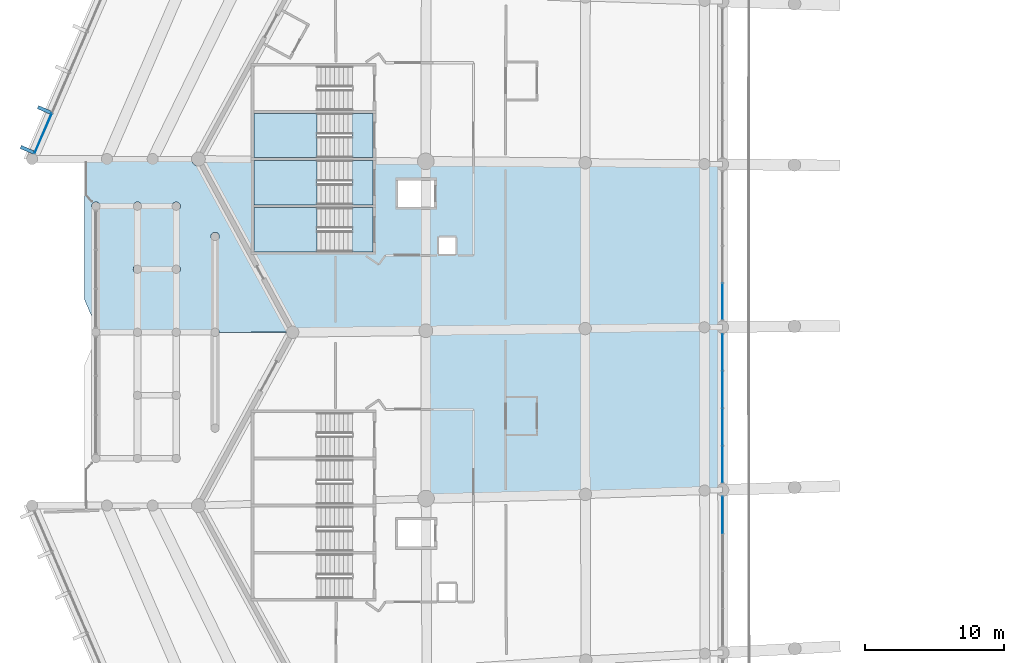
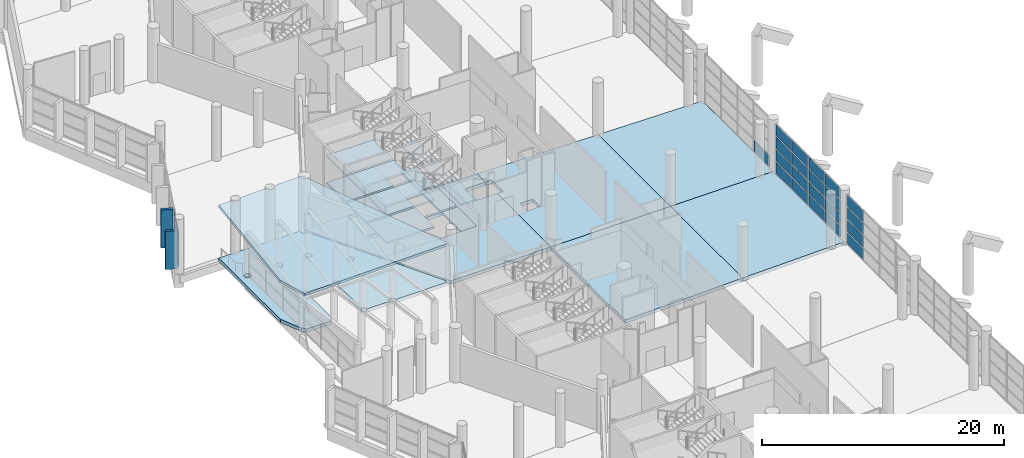
# One storey, part 124 of 271: 26 plates, 19 slabs, 7 elements without a shape of their own.
"""IFC4 building model written with IfcOpenShell, lengths in metres."""

from ifc_helpers import new_model, si_unit, direction, frame, origin, origin_2d, place, context, subcontext, project, spatial, polyline, rectangle, outline, extrude, material, layer, layer_set, type_object, element, aggregate, save


model = new_model("IFC4")

# Units and contexts
model_context = context("Model", 3, precision=1e-05, world=origin(), true_north=direction((0.0, 1.0)))
body_context = subcontext(model_context, "Body", "Model", "MODEL_VIEW")
ifc_project = project(units=[si_unit("LENGTHUNIT", "METRE"), si_unit("AREAUNIT", "SQUARE_METRE"), si_unit("VOLUMEUNIT", "CUBIC_METRE"), si_unit("PLANEANGLEUNIT", "RADIAN"), si_unit("MASSUNIT", "GRAM", prefix="KILO")], contexts=[model_context])

# Site, building, storey
site_placement = place(None, origin())
site = spatial("IfcSite", under=ifc_project, at=site_placement, CompositionType="ELEMENT")
building_placement = place(site_placement, origin())
building = spatial("IfcBuilding", under=site, at=building_placement, Name="Meseta Stadium", CompositionType="ELEMENT")
storey_placement = place(building_placement, frame((0.0, 0.0, 6.5)))
storey = spatial("IfcBuildingStorey", under=building, at=storey_placement, Name="L01", CompositionType="ELEMENT", Elevation=6.5)

# Curtain wall, plate
ifc_material_1 = material(Name="Aluminium", Category="aluminium")
ifc_layer_1 = layer(ifc_material_1, 0.199951171875)
ifc_layer_set_1 = layer_set([ifc_layer_1], Name="Club glazing curtain wall")
curtain_wall_type_1 = type_object("IfcCurtainWallType", Name="Club glazing curtain wall", PredefinedType="NOTDEFINED", material=ifc_layer_set_1)
curtain_wall_1_placement = place(storey_placement, origin())
curtain_wall_1 = element("IfcCurtainWall", 1, at=curtain_wall_1_placement, inside=storey, type_object=curtain_wall_type_1, Name="Club glazing bay 32", PredefinedType="NOTDEFINED")
ifc_material_2 = material(Name="Glass", Category="glass")
ifc_layer_2 = layer(ifc_material_2, 0.028076171875)
ifc_layer_set_2 = layer_set([ifc_layer_2], Name="CW glass panel 28")
plate_type_1 = type_object("IfcPlateType", Name="CW glass panel 28", PredefinedType="CURTAIN_PANEL", material=ifc_layer_set_2)
plate_1_placement = place(storey_placement, frame((-63.5986328125, -4.0302734375, 0.1201171875), z_axis=(0.0, 0.0, 1.0), x_axis=(0.0, -1.0, 0.0)))
plate_1 = element("IfcPlate", 2, at=plate_1_placement, type_object=plate_type_1, Name="CWC panel 4.1", PredefinedType="CURTAIN_PANEL", context=body_context, shape_type="SweptSolid", body=[
    extrude(rectangle(XDim=2.60693359375, YDim=0.028076171875, at=origin_2d()), origin(), (0.0, 0.0, 1.0), 1.107421875),
])
aggregate(curtain_wall_1, [plate_1])

# Curtain wall, plates
curtain_wall_2_placement = place(storey_placement, origin())
curtain_wall_2 = element("IfcCurtainWall", 3, at=curtain_wall_2_placement, inside=storey, type_object=curtain_wall_type_1, Name="Club glazing bay 33", PredefinedType="NOTDEFINED")
plate_2_placement = place(storey_placement, frame((-63.596923828125, -7.689697265625, 0.1201171875), z_axis=(0.0, 0.0, 1.0), x_axis=(0.000924539991, -0.999999572613, 0.0)))
plate_2 = element("IfcPlate", 4, at=plate_2_placement, type_object=plate_type_1, Name="CWC panel 1.1", PredefinedType="CURTAIN_PANEL", context=body_context, shape_type="SweptSolid", body=[
    extrude(rectangle(XDim=2.614013671875, YDim=0.028076171875, at=origin_2d()), origin(), (0.0, 0.0, 1.0), 1.107421875),
])
plate_3_placement = place(storey_placement, frame((-63.596923828125, -7.689697265625, 1.347412109375), z_axis=(0.0, 0.0, 1.0), x_axis=(0.000924539991, -0.999999572613, 0.0)))
plate_3 = element("IfcPlate", 5, at=plate_3_placement, type_object=plate_type_1, Name="CWC panel 1.2", PredefinedType="CURTAIN_PANEL", context=body_context, shape_type="SweptSolid", body=[
    extrude(rectangle(XDim=2.614013671875, YDim=0.028076171875, at=origin_2d()), origin(), (0.0, 0.0, 1.0), 1.16748046875),
])
plate_4_placement = place(storey_placement, frame((-63.596923828125, -7.689697265625, 2.635009765625), z_axis=(0.0, 0.0, 1.0), x_axis=(0.000924539991, -0.999999572613, 0.0)))
plate_4 = element("IfcPlate", 6, at=plate_4_placement, type_object=plate_type_1, Name="CWC panel 1.3", PredefinedType="CURTAIN_PANEL", context=body_context, shape_type="SweptSolid", body=[
    extrude(rectangle(XDim=2.614013671875, YDim=0.028076171875, at=origin_2d()), origin(), (0.0, 0.0, 1.0), 1.16748046875),
])
plate_5_placement = place(storey_placement, frame((-63.596923828125, -7.689697265625, 3.922607421875), z_axis=(0.0, 0.0, 1.0), x_axis=(0.000924539991, -0.999999572613, 0.0)))
plate_5 = element("IfcPlate", 7, at=plate_5_placement, type_object=plate_type_1, Name="CWC panel 1.4", PredefinedType="CURTAIN_PANEL", context=body_context, shape_type="SweptSolid", body=[
    extrude(rectangle(XDim=2.614013671875, YDim=0.028076171875, at=origin_2d()), origin(), (0.0, 0.0, 1.0), 1.107421875),
])
plate_6_placement = place(storey_placement, frame((-63.594482421875, -10.37890625, 0.1201171875), z_axis=(0.0, 0.0, 1.0), x_axis=(0.000924539991, -0.999999572613, 0.0)))
plate_6 = element("IfcPlate", 8, at=plate_6_placement, type_object=plate_type_1, Name="CWC panel 2.1", PredefinedType="CURTAIN_PANEL", context=body_context, shape_type="SweptSolid", body=[
    extrude(rectangle(XDim=2.64404296875, YDim=0.028076171875, at=origin_2d()), origin(), (0.0, 0.0, 1.0), 1.107421875),
])
plate_7_placement = place(storey_placement, frame((-63.594482421875, -10.37890625, 1.347412109375), z_axis=(0.0, 0.0, 1.0), x_axis=(0.000924539991, -0.999999572613, 0.0)))
plate_7 = element("IfcPlate", 9, at=plate_7_placement, type_object=plate_type_1, Name="CWC panel 2.2", PredefinedType="CURTAIN_PANEL", context=body_context, shape_type="SweptSolid", body=[
    extrude(rectangle(XDim=2.64404296875, YDim=0.028076171875, at=origin_2d()), origin(), (0.0, 0.0, 1.0), 1.16748046875),
])
plate_8_placement = place(storey_placement, frame((-63.594482421875, -10.37890625, 2.635009765625), z_axis=(0.0, 0.0, 1.0), x_axis=(0.000924539991, -0.999999572613, 0.0)))
plate_8 = element("IfcPlate", 10, at=plate_8_placement, type_object=plate_type_1, Name="CWC panel 2.3", PredefinedType="CURTAIN_PANEL", context=body_context, shape_type="SweptSolid", body=[
    extrude(rectangle(XDim=2.64404296875, YDim=0.028076171875, at=origin_2d()), origin(), (0.0, 0.0, 1.0), 1.16748046875),
])
plate_9_placement = place(storey_placement, frame((-63.594482421875, -10.37890625, 3.922607421875), z_axis=(0.0, 0.0, 1.0), x_axis=(0.000924539991, -0.999999572613, 0.0)))
plate_9 = element("IfcPlate", 11, at=plate_9_placement, type_object=plate_type_1, Name="CWC panel 2.4", PredefinedType="CURTAIN_PANEL", context=body_context, shape_type="SweptSolid", body=[
    extrude(rectangle(XDim=2.64404296875, YDim=0.028076171875, at=origin_2d()), origin(), (0.0, 0.0, 1.0), 1.107421875),
])
plate_10_placement = place(storey_placement, frame((-63.592041015625, -13.082763671875, 0.1201171875), z_axis=(0.0, 0.0, 1.0), x_axis=(0.000924539991, -0.999999572613, 0.0)))
plate_10 = element("IfcPlate", 12, at=plate_10_placement, type_object=plate_type_1, Name="CWC panel 3.1", PredefinedType="CURTAIN_PANEL", context=body_context, shape_type="SweptSolid", body=[
    extrude(rectangle(XDim=2.64404296875, YDim=0.028076171875, at=origin_2d()), origin(), (0.0, 0.0, 1.0), 1.107421875),
])
plate_11_placement = place(storey_placement, frame((-63.592041015625, -13.082763671875, 1.347412109375), z_axis=(0.0, 0.0, 1.0), x_axis=(0.000924539991, -0.999999572613, 0.0)))
plate_11 = element("IfcPlate", 13, at=plate_11_placement, type_object=plate_type_1, Name="CWC panel 3.2", PredefinedType="CURTAIN_PANEL", context=body_context, shape_type="SweptSolid", body=[
    extrude(rectangle(XDim=2.64404296875, YDim=0.028076171875, at=origin_2d()), origin(), (0.0, 0.0, 1.0), 1.16748046875),
])
plate_12_placement = place(storey_placement, frame((-63.592041015625, -13.082763671875, 2.635009765625), z_axis=(0.0, 0.0, 1.0), x_axis=(0.000924539991, -0.999999572613, 0.0)))
plate_12 = element("IfcPlate", 14, at=plate_12_placement, type_object=plate_type_1, Name="CWC panel 3.3", PredefinedType="CURTAIN_PANEL", context=body_context, shape_type="SweptSolid", body=[
    extrude(rectangle(XDim=2.64404296875, YDim=0.028076171875, at=origin_2d()), origin(), (0.0, 0.0, 1.0), 1.16748046875),
])
plate_13_placement = place(storey_placement, frame((-63.592041015625, -13.082763671875, 3.922607421875), z_axis=(0.0, 0.0, 1.0), x_axis=(0.000924539991, -0.999999572613, 0.0)))
plate_13 = element("IfcPlate", 15, at=plate_13_placement, type_object=plate_type_1, Name="CWC panel 3.4", PredefinedType="CURTAIN_PANEL", context=body_context, shape_type="SweptSolid", body=[
    extrude(rectangle(XDim=2.64404296875, YDim=0.028076171875, at=origin_2d()), origin(), (0.0, 0.0, 1.0), 1.107421875),
])
plate_14_placement = place(storey_placement, frame((-63.589599609375, -15.771728515625, 0.1201171875), z_axis=(0.0, 0.0, 1.0), x_axis=(0.000924539991, -0.999999572613, 0.0)))
plate_14 = element("IfcPlate", 16, at=plate_14_placement, type_object=plate_type_1, Name="CWC panel 4.1", PredefinedType="CURTAIN_PANEL", context=body_context, shape_type="SweptSolid", body=[
    extrude(rectangle(XDim=2.614013671875, YDim=0.028076171875, at=origin_2d()), origin(), (0.0, 0.0, 1.0), 1.107421875),
])
plate_15_placement = place(storey_placement, frame((-63.589599609375, -15.771728515625, 1.347412109375), z_axis=(0.0, 0.0, 1.0), x_axis=(0.000924539991, -0.999999572613, 0.0)))
plate_15 = element("IfcPlate", 17, at=plate_15_placement, type_object=plate_type_1, Name="CWC panel 4.2", PredefinedType="CURTAIN_PANEL", context=body_context, shape_type="SweptSolid", body=[
    extrude(rectangle(XDim=2.614013671875, YDim=0.028076171875, at=origin_2d()), origin(), (0.0, 0.0, 1.0), 1.16748046875),
])
plate_16_placement = place(storey_placement, frame((-63.589599609375, -15.771728515625, 2.635009765625), z_axis=(0.0, 0.0, 1.0), x_axis=(0.000924539991, -0.999999572613, 0.0)))
plate_16 = element("IfcPlate", 18, at=plate_16_placement, type_object=plate_type_1, Name="CWC panel 4.3", PredefinedType="CURTAIN_PANEL", context=body_context, shape_type="SweptSolid", body=[
    extrude(rectangle(XDim=2.614013671875, YDim=0.028076171875, at=origin_2d()), origin(), (0.0, 0.0, 1.0), 1.16748046875),
])
plate_17_placement = place(storey_placement, frame((-63.589599609375, -15.771728515625, 3.922607421875), z_axis=(0.0, 0.0, 1.0), x_axis=(0.000924539991, -0.999999572613, 0.0)))
plate_17 = element("IfcPlate", 19, at=plate_17_placement, type_object=plate_type_1, Name="CWC panel 4.4", PredefinedType="CURTAIN_PANEL", context=body_context, shape_type="SweptSolid", body=[
    extrude(rectangle(XDim=2.614013671875, YDim=0.028076171875, at=origin_2d()), origin(), (0.0, 0.0, 1.0), 1.107421875),
])
aggregate(curtain_wall_2, [plate_2, plate_3, plate_4, plate_5, plate_6, plate_7, plate_8, plate_9, plate_10, plate_11, plate_12, plate_13, plate_14, plate_15, plate_16, plate_17])

curtain_wall_3_placement = place(storey_placement, origin())
curtain_wall_3 = element("IfcCurtainWall", 20, at=curtain_wall_3_placement, inside=storey, type_object=curtain_wall_type_1, Name="Club glazing bay 34", PredefinedType="NOTDEFINED")
plate_18_placement = place(storey_placement, frame((-63.58447265625, -19.434814453125, 0.1201171875), z_axis=(0.0, 0.0, 1.0), x_axis=(0.0018452545, -0.999998297516, 0.0)))
plate_18 = element("IfcPlate", 21, at=plate_18_placement, type_object=plate_type_1, Name="CWC panel 1.1", PredefinedType="CURTAIN_PANEL", context=body_context, shape_type="SweptSolid", body=[
    extrude(rectangle(XDim=2.61376953125, YDim=0.028076171875, at=origin_2d()), origin(), (0.0, 0.0, 1.0), 1.107421875),
])
plate_19_placement = place(storey_placement, frame((-63.58447265625, -19.434814453125, 1.347412109375), z_axis=(0.0, 0.0, 1.0), x_axis=(0.0018452545, -0.999998297516, 0.0)))
plate_19 = element("IfcPlate", 22, at=plate_19_placement, type_object=plate_type_1, Name="CWC panel 1.2", PredefinedType="CURTAIN_PANEL", context=body_context, shape_type="SweptSolid", body=[
    extrude(rectangle(XDim=2.61376953125, YDim=0.028076171875, at=origin_2d()), origin(), (0.0, 0.0, 1.0), 1.16748046875),
])
plate_20_placement = place(storey_placement, frame((-63.58447265625, -19.434814453125, 2.635009765625), z_axis=(0.0, 0.0, 1.0), x_axis=(0.0018452545, -0.999998297516, 0.0)))
plate_20 = element("IfcPlate", 23, at=plate_20_placement, type_object=plate_type_1, Name="CWC panel 1.3", PredefinedType="CURTAIN_PANEL", context=body_context, shape_type="SweptSolid", body=[
    extrude(rectangle(XDim=2.61376953125, YDim=0.028076171875, at=origin_2d()), origin(), (0.0, 0.0, 1.0), 1.16748046875),
])
plate_21_placement = place(storey_placement, frame((-63.58447265625, -19.434814453125, 3.922607421875), z_axis=(0.0, 0.0, 1.0), x_axis=(0.0018452545, -0.999998297516, 0.0)))
plate_21 = element("IfcPlate", 24, at=plate_21_placement, type_object=plate_type_1, Name="CWC panel 1.4", PredefinedType="CURTAIN_PANEL", context=body_context, shape_type="SweptSolid", body=[
    extrude(rectangle(XDim=2.61376953125, YDim=0.028076171875, at=origin_2d()), origin(), (0.0, 0.0, 1.0), 1.107421875),
])
aggregate(curtain_wall_3, [plate_18, plate_19, plate_20, plate_21])

# Slabs
ifc_material_3 = material(Name="Concrete C40/50", Category="concrete")
ifc_layer_3 = layer(ifc_material_3, 0.35009765625)
ifc_layer_set_3 = layer_set([ifc_layer_3], Name="Floor slab 350")
slab_type_1 = type_object("IfcSlabType", Name="Floor slab 350", PredefinedType="FLOOR", material=ifc_layer_set_3)
slab_1_placement = place(storey_placement, frame((0.0, 0.0, -0.35009765625)))
element("IfcSlab", 25, at=slab_1_placement, inside=storey, type_object=slab_type_1, Name="Floor slab L01 sector 28 panel 01", PredefinedType="FLOOR", context=body_context, shape_type="SweptSolid", body=[
    extrude(outline(polyline([(-88.8798828125, 6.14990234375), (-101.3798828125, 6.287109375), (-101.39990234375, 6.25), (-94.6201171875, -6.212890625), (-84.9970703125, -6.107421875), (-84.997314453125, 2.800048828125), (-87.0, 2.800048828125), (-87.0, 4.699951171875), (-84.99755859375, 4.699951171875), (-84.99755859375, 6.107421875), (-88.800048828125, 6.149169921875), (-88.800048828125, 2.949951171875), (-97.39990234375, 2.949951171875), (-97.39990234375, 6.14990234375), (-88.8798828125, 6.14990234375)]), holes=[polyline([(-88.800048828125, 2.75), (-88.800048828125, -0.449951171875), (-97.39990234375, -0.449951171875), (-97.39990234375, 2.75), (-88.800048828125, 2.75)])]), origin(), (0.0, 0.0, 1.0), 0.35009765625),
])
slab_2_placement = place(storey_placement, frame((0.0, 0.0, -0.35009765625)))
element("IfcSlab", 26, at=slab_2_placement, inside=storey, type_object=slab_type_1, Name="Floor slab L01 sector 28 panel 09", PredefinedType="FLOOR", context=body_context, shape_type="SweptSolid", body=[
    extrude(outline(polyline([(-84.978271484375, -18.32177734375), (-73.482421875, -17.943603515625), (-73.498046875, -5.981201171875), (-84.9970703125, -6.107421875), (-84.978271484375, -18.32177734375)])), origin(), (0.0, 0.0, 1.0), 0.35009765625),
])
slab_3_placement = place(storey_placement, frame((0.0, 0.0, -0.35009765625)))
element("IfcSlab", 27, at=slab_3_placement, inside=storey, type_object=slab_type_1, Name="Floor slab L01 sector 28 panel 11", PredefinedType="FLOOR", context=body_context, shape_type="SweptSolid", body=[
    extrude(outline(polyline([(-73.498046875, 5.981201171875), (-84.99755859375, 6.107421875), (-84.99755859375, 4.699951171875), (-84.39990234375, 4.699951171875), (-84.39990234375, 2.800048828125), (-84.997314453125, 2.800048828125), (-84.9970703125, -6.107421875), (-73.498046875, -5.981201171875), (-73.498046875, 5.981201171875)]), holes=[polyline([(-82.85009765625, -0.60009765625), (-84.050048828125, -0.60009765625), (-84.050048828125, 0.60009765625), (-82.85009765625, 0.60009765625), (-82.85009765625, -0.60009765625)])]), origin(), (0.0, 0.0, 1.0), 0.35009765625),
])
slab_4_placement = place(storey_placement, frame((0.0, 0.0, -0.35009765625)))
element("IfcSlab", 28, at=slab_4_placement, inside=storey, type_object=slab_type_1, Name="Floor slab L01 sector 28 panel 15", PredefinedType="FLOOR", context=body_context, shape_type="SweptSolid", body=[
    extrude(outline(polyline([(-63.5986328125, 5.872802734375), (-73.498046875, 5.981201171875), (-73.498046875, -5.981201171875), (-63.5986328125, -5.872802734375), (-63.60009765625, 0.0), (-63.5986328125, 5.872802734375)])), origin(), (0.0, 0.0, 1.0), 0.35009765625),
])
slab_5_placement = place(storey_placement, frame((0.0, 0.0, -0.35009765625)))
element("IfcSlab", 29, at=slab_5_placement, inside=storey, type_object=slab_type_1, Name="Floor slab L01 sector 28 panel 16", PredefinedType="FLOOR", context=body_context, shape_type="SweptSolid", body=[
    extrude(outline(polyline([(-63.5986328125, -5.872802734375), (-73.498046875, -5.981201171875), (-73.482421875, -17.943603515625), (-63.587890625, -17.617919921875), (-63.594482421875, -11.74560546875), (-63.5986328125, -5.872802734375)])), origin(), (0.0, 0.0, 1.0), 0.35009765625),
])
slab_6_placement = place(storey_placement, frame((0.0, 0.0, -0.35009765625)))
element("IfcSlab", 30, at=slab_6_placement, inside=storey, type_object=slab_type_1, Name="Gate hall floor slab 5 panel 02", PredefinedType="FLOOR", context=body_context, shape_type="SweptSolid", body=[
    extrude(outline(polyline([(-108.7265625, -5.95703125), (-108.7216796875, -5.957763671875), (-108.648681640625, -5.988037109375), (-108.5859375, -6.035888671875), (-108.5380859375, -6.0986328125), (-108.5078125, -6.171630859375), (-108.497314453125, -6.25), (-106.1025390625, -6.25), (-106.09228515625, -6.171630859375), (-106.06201171875, -6.0986328125), (-106.013916015625, -6.035888671875), (-105.951416015625, -5.988037109375), (-105.87841796875, -5.957763671875), (-105.800048828125, -5.947509765625), (-105.800048828125, -2.002685546875), (-105.87841796875, -1.9921875), (-105.951416015625, -1.9619140625), (-106.013916015625, -1.9140625), (-106.06201171875, -1.851318359375), (-106.09228515625, -1.7783203125), (-106.1025390625, -1.699951171875), (-106.09228515625, -1.62158203125), (-106.06201171875, -1.548583984375), (-106.013916015625, -1.486083984375), (-105.951416015625, -1.43798828125), (-105.87841796875, -1.40771484375), (-105.800048828125, -1.3974609375), (-105.7216796875, -1.40771484375), (-105.648681640625, -1.43798828125), (-105.5859375, -1.486083984375), (-105.5380859375, -1.548583984375), (-105.5078125, -1.62158203125), (-105.497314453125, -1.699951171875), (-103.302490234375, -1.699951171875), (-103.292236328125, -1.62158203125), (-103.261962890625, -1.548583984375), (-103.214111328125, -1.486083984375), (-103.1513671875, -1.43798828125), (-103.078369140625, -1.40771484375), (-103.0, -1.3974609375), (-102.921630859375, -1.40771484375), (-102.8486328125, -1.43798828125), (-102.785888671875, -1.486083984375), (-102.738037109375, -1.548583984375), (-102.707763671875, -1.62158203125), (-102.697509765625, -1.699951171875), (-102.707763671875, -1.7783203125), (-102.738037109375, -1.851318359375), (-102.785888671875, -1.9140625), (-102.8486328125, -1.9619140625), (-102.921630859375, -1.9921875), (-103.0, -2.002685546875), (-103.0, -5.947509765625), (-102.921630859375, -5.957763671875), (-102.8486328125, -5.988037109375), (-102.785888671875, -6.035888671875), (-102.738037109375, -6.0986328125), (-102.707763671875, -6.171630859375), (-102.697509765625, -6.25), (-100.502685546875, -6.25), (-100.4921875, -6.171630859375), (-100.4619140625, -6.0986328125), (-100.4140625, -6.035888671875), (-100.351318359375, -5.988037109375), (-100.2783203125, -5.957763671875), (-100.199951171875, -5.947509765625), (-100.12158203125, -5.957763671875), (-100.048583984375, -5.988037109375), (-99.986083984375, -6.035888671875), (-99.93798828125, -6.0986328125), (-99.90771484375, -6.171630859375), (-99.8974609375, -6.25), (-99.900146484375, -6.270751953125), (-95.049560546875, -6.217529296875), (-95.038330078125, -6.132568359375), (-94.9931640625, -6.023193359375), (-94.955078125, -5.9736328125), (-101.335205078125, 5.754150390625), (-101.39990234375, 5.74560546875), (-101.530517578125, 5.762939453125), (-101.652099609375, 5.813232421875), (-101.756591796875, 5.893310546875), (-101.836669921875, 5.997802734375), (-101.88720703125, 6.119384765625), (-101.904296875, 6.25), (-109.60009765625, 6.25), (-109.60009765625, -3.935302734375), (-108.7265625, -5.95703125)]), holes=[polyline([(-108.648681640625, 2.587890625), (-108.7216796875, 2.5576171875), (-108.800048828125, 2.54736328125), (-108.87841796875, 2.5576171875), (-108.951416015625, 2.587890625), (-109.013916015625, 2.635986328125), (-109.06201171875, 2.69873046875), (-109.09228515625, 2.771728515625), (-109.1025390625, 2.85009765625), (-109.09228515625, 2.92822265625), (-109.06201171875, 3.001220703125), (-109.013916015625, 3.06396484375), (-108.951416015625, 3.112060546875), (-108.87841796875, 3.142333984375), (-108.800048828125, 3.152587890625), (-108.7216796875, 3.142333984375), (-108.648681640625, 3.112060546875), (-108.5859375, 3.06396484375), (-108.5380859375, 3.001220703125), (-108.5078125, 2.92822265625), (-108.497314453125, 2.85009765625), (-108.5078125, 2.771728515625), (-108.5380859375, 2.69873046875), (-108.5859375, 2.635986328125), (-108.648681640625, 2.587890625)]), polyline([(-106.06201171875, 2.69873046875), (-106.09228515625, 2.771728515625), (-106.1025390625, 2.85009765625), (-106.09228515625, 2.92822265625), (-106.06201171875, 3.001220703125), (-106.013916015625, 3.06396484375), (-105.951416015625, 3.112060546875), (-105.87841796875, 3.142333984375), (-105.800048828125, 3.152587890625), (-105.7216796875, 3.142333984375), (-105.648681640625, 3.112060546875), (-105.5859375, 3.06396484375), (-105.5380859375, 3.001220703125), (-105.5078125, 2.92822265625), (-105.497314453125, 2.85009765625), (-105.5078125, 2.771728515625), (-105.5380859375, 2.69873046875), (-105.5859375, 2.635986328125), (-105.648681640625, 2.587890625), (-105.7216796875, 2.5576171875), (-105.800048828125, 2.54736328125), (-105.87841796875, 2.5576171875), (-105.951416015625, 2.587890625), (-106.013916015625, 2.635986328125), (-106.06201171875, 2.69873046875)]), polyline([(-103.261962890625, 2.69873046875), (-103.292236328125, 2.771728515625), (-103.302490234375, 2.85009765625), (-103.292236328125, 2.92822265625), (-103.261962890625, 3.001220703125), (-103.214111328125, 3.06396484375), (-103.1513671875, 3.112060546875), (-103.078369140625, 3.142333984375), (-103.0, 3.152587890625), (-102.921630859375, 3.142333984375), (-102.8486328125, 3.112060546875), (-102.785888671875, 3.06396484375), (-102.738037109375, 3.001220703125), (-102.707763671875, 2.92822265625), (-102.697509765625, 2.85009765625), (-102.707763671875, 2.771728515625), (-102.738037109375, 2.69873046875), (-102.785888671875, 2.635986328125), (-102.8486328125, 2.587890625), (-102.921630859375, 2.5576171875), (-103.0, 2.54736328125), (-103.078369140625, 2.5576171875), (-103.1513671875, 2.587890625), (-103.214111328125, 2.635986328125), (-103.261962890625, 2.69873046875)]), polyline([(-99.93798828125, 0.51611328125), (-99.986083984375, 0.45361328125), (-100.048583984375, 0.405517578125), (-100.12158203125, 0.375244140625), (-100.199951171875, 0.364990234375), (-100.2783203125, 0.375244140625), (-100.351318359375, 0.405517578125), (-100.4140625, 0.45361328125), (-100.4619140625, 0.51611328125), (-100.4921875, 0.589111328125), (-100.502685546875, 0.66748046875), (-100.4921875, 0.745849609375), (-100.4619140625, 0.818603515625), (-100.4140625, 0.88134765625), (-100.351318359375, 0.929443359375), (-100.2783203125, 0.959716796875), (-100.199951171875, 0.969970703125), (-100.12158203125, 0.959716796875), (-100.048583984375, 0.929443359375), (-99.986083984375, 0.88134765625), (-99.93798828125, 0.818603515625), (-99.90771484375, 0.745849609375), (-99.8974609375, 0.66748046875), (-99.90771484375, 0.589111328125), (-99.93798828125, 0.51611328125)])]), origin(), (0.0, 0.0, 1.0), 0.35009765625),
])
ifc_material_4 = material(Name="Concrete C40/50", Category="concrete")
ifc_layer_4 = layer(ifc_material_4, 0.300048828125)
ifc_layer_set_4 = layer_set([ifc_layer_4], Name="Gate roof plate 300")
slab_type_2 = type_object("IfcSlabType", Name="Gate roof plate 300", PredefinedType="ROOF", material=ifc_layer_set_4)
slab_7_placement = place(storey_placement, frame((-108.60009765625, -6.25, 3.637939453125), z_axis=(-0.019795953742, -0.138619742273, 0.990147810818), x_axis=(0.999800199277, 7.2763e-07, 0.019989035116)))
element("IfcSlab", 31, at=slab_7_placement, inside=storey, type_object=slab_type_2, Name="Gate 5 butterfly roof wing", PredefinedType="ROOF", context=body_context, shape_type="SweptSolid", body=[
    extrude(outline(polyline([(0.0, 0.0), (13.797924284627852, -6.938893903907228e-18), (7.031505782509493, 12.621857424785922), (-0.9652104635668369, 12.621854110354338), (-0.993717866168952, 2.337281621949277), (0.0, 0.0)])), origin(), (0.0, 0.0, -1.0), 0.300048828125),
])

# Curtain wall, plates
ifc_material_5 = material(Name="Aluminium", Category="aluminium")
ifc_layer_5 = layer(ifc_material_5, 0.199951171875)
ifc_layer_set_5 = layer_set([ifc_layer_5], Name="Ring shopfront curtain wall")
curtain_wall_type_2 = type_object("IfcCurtainWallType", Name="Ring shopfront curtain wall", PredefinedType="NOTDEFINED", material=ifc_layer_set_5)
curtain_wall_4_placement = place(storey_placement, origin())
curtain_wall_4 = element("IfcCurtainWall", 32, at=curtain_wall_4_placement, inside=storey, type_object=curtain_wall_type_2, Name="Ring glazing L01 F31", PredefinedType="NOTDEFINED")
ifc_material_6 = material(Name="Glass", Category="glass")
ifc_layer_6 = layer(ifc_material_6, 0.035888671875)
ifc_layer_set_6 = layer_set([ifc_layer_6], Name="Ring CW glass panel 36")
plate_type_2 = type_object("IfcPlateType", Name="Ring CW glass panel 36", PredefinedType="CURTAIN_PANEL", material=ifc_layer_set_6)
plate_22_placement = place(storey_placement, frame((-112.60009765625, 8.1015625, 0.14990234375), z_axis=(0.0, 0.0, 1.0), x_axis=(-0.396580687073, -0.91799986854, 0.0)))
plate_22 = element("IfcPlate", 33, at=plate_22_placement, type_object=plate_type_2, Name="CWR1 panel 4.1", PredefinedType="CURTAIN_PANEL", context=body_context, shape_type="SweptSolid", body=[
    extrude(rectangle(XDim=3.1142578125, YDim=0.035888671875, at=origin_2d()), origin(), (0.0, 0.0, 1.0), 1.058349609375),
])
plate_23_placement = place(storey_placement, frame((-112.60009765625, 8.1015625, 1.3583984375), z_axis=(0.0, 0.0, 1.0), x_axis=(-0.396580687073, -0.91799986854, 0.0)))
plate_23 = element("IfcPlate", 34, at=plate_23_placement, type_object=plate_type_2, Name="CWR1 panel 4.2", PredefinedType="CURTAIN_PANEL", context=body_context, shape_type="SweptSolid", body=[
    extrude(rectangle(XDim=3.1142578125, YDim=0.035888671875, at=origin_2d()), origin(), (0.0, 0.0, 1.0), 1.13330078125),
])
plate_24_placement = place(storey_placement, frame((-112.60009765625, 8.1015625, 2.6416015625), z_axis=(0.0, 0.0, 1.0), x_axis=(-0.396580687073, -0.91799986854, 0.0)))
plate_24 = element("IfcPlate", 35, at=plate_24_placement, type_object=plate_type_2, Name="CWR1 panel 4.3", PredefinedType="CURTAIN_PANEL", context=body_context, shape_type="SweptSolid", body=[
    extrude(rectangle(XDim=3.1142578125, YDim=0.035888671875, at=origin_2d()), origin(), (0.0, 0.0, 1.0), 1.058349609375),
])
aggregate(curtain_wall_4, [plate_22, plate_23, plate_24])

# Plates
ifc_material_7 = material(Name="Precast concrete C40/50", Category="concrete")
ifc_layer_7 = layer(ifc_material_7, 0.25)
ifc_layer_set_7 = layer_set([ifc_layer_7], Name="Ring brise-soleil fin 250x1000")
plate_type_3 = type_object("IfcPlateType", Name="Ring brise-soleil fin 250x1000", PredefinedType="USERDEFINED", material=ifc_layer_set_7)
for number, where, z_axis, x_axis, name in (
    (36, (-112.521484375, 9.79638671875, 0.0), (0.0, 0.0, 1.0), (-0.396575976693, -0.918001903435, 0.0), "Brise-soleil fin L01 F31.4"),
    (37, (-113.762451171875, 6.924072265625, 0.0), (0.0, 0.0, 1.0), (-0.396575976693, -0.918001903435, 0.0), "Brise-soleil fin L01 F31.5"),
):
    element("IfcPlate", number, at=place(storey_placement, frame(where, z_axis=z_axis, x_axis=x_axis)), inside=storey, type_object=plate_type_3, Name=name, ObjectType="FIN", PredefinedType="USERDEFINED", context=body_context, shape_type="SweptSolid", body=[
        extrude(rectangle(XDim=0.25, YDim=1.0, at=origin_2d()), origin(), (0.0, 0.0, 1.0), 3.85009765625),
    ])

# Stair, slabs
ifc_material_8 = material(Name="Concrete C40/50", Category="concrete")
stair_type = type_object("IfcStairType", Name="Exit stair 4 flights 153 mm risers", PredefinedType="HALF_TURN_STAIR", material=ifc_material_8)
stair_1_placement = place(storey_placement, origin())
stair_1 = element("IfcStair", 38, at=stair_1_placement, inside=storey, type_object=stair_type, Name="ST66 L01", PredefinedType="HALF_TURN_STAIR")
ifc_material_9 = material(Name="Concrete C40/50", Category="concrete")
ifc_layer_8 = layer(ifc_material_9, 0.199951171875)
ifc_layer_set_8 = layer_set([ifc_layer_8], Name="Stair landing 200")
slab_type_3 = type_object("IfcSlabType", Name="Stair landing 200", PredefinedType="LANDING", material=ifc_layer_set_8)
slab_8_placement = place(storey_placement, frame((0.0, 0.0, 1.175048828125)))
slab_8 = element("IfcSlab", 39, at=slab_8_placement, type_object=slab_type_3, Name="ST66 L01 landing 1", PredefinedType="LANDING", context=body_context, shape_type="SweptSolid", body=[
    extrude(outline(polyline([(-92.85009765625, 9.550048828125), (-97.39990234375, 9.550048828125), (-97.39990234375, 6.35009765625), (-92.85009765625, 6.35009765625), (-92.85009765625, 9.550048828125)])), origin(), (0.0, 0.0, 1.0), 0.199951171875),
])
slab_9_placement = place(storey_placement, frame((0.0, 0.0, 2.550048828125)))
slab_9 = element("IfcSlab", 40, at=slab_9_placement, type_object=slab_type_3, Name="ST66 L01 landing 2", PredefinedType="LANDING", context=body_context, shape_type="SweptSolid", body=[
    extrude(outline(polyline([(-88.800048828125, 9.550048828125), (-90.31005859375, 9.550048828125), (-90.31005859375, 6.35009765625), (-88.800048828125, 6.35009765625), (-88.800048828125, 9.550048828125)])), origin(), (0.0, 0.0, 1.0), 0.199951171875),
])
slab_10_placement = place(storey_placement, frame((0.0, 0.0, 3.925048828125)))
slab_10 = element("IfcSlab", 41, at=slab_10_placement, type_object=slab_type_3, Name="ST66 L01 landing 3", PredefinedType="LANDING", context=body_context, shape_type="SweptSolid", body=[
    extrude(outline(polyline([(-92.85009765625, 9.550048828125), (-97.39990234375, 9.550048828125), (-97.39990234375, 6.35009765625), (-92.85009765625, 6.35009765625), (-92.85009765625, 9.550048828125)])), origin(), (0.0, 0.0, 1.0), 0.199951171875),
])
slab_11_placement = place(storey_placement, frame((0.0, 0.0, -0.199951171875)))
slab_11 = element("IfcSlab", 42, at=slab_11_placement, type_object=slab_type_3, Name="ST66 L01 landing 4", PredefinedType="LANDING", context=body_context, shape_type="SweptSolid", body=[
    extrude(outline(polyline([(-88.800048828125, 9.550048828125), (-90.31005859375, 9.550048828125), (-90.31005859375, 6.35009765625), (-88.800048828125, 6.35009765625), (-88.800048828125, 9.550048828125)])), origin(), (0.0, 0.0, 1.0), 0.199951171875),
])
aggregate(stair_1, [slab_8, slab_9, slab_10, slab_11])

stair_2_placement = place(storey_placement, origin())
stair_2 = element("IfcStair", 43, at=stair_2_placement, inside=storey, type_object=stair_type, Name="ST67 L01", PredefinedType="HALF_TURN_STAIR")
slab_12_placement = place(storey_placement, frame((0.0, 0.0, 1.175048828125)))
slab_12 = element("IfcSlab", 44, at=slab_12_placement, type_object=slab_type_3, Name="ST67 L01 landing 1", PredefinedType="LANDING", context=body_context, shape_type="SweptSolid", body=[
    extrude(outline(polyline([(-92.85009765625, 6.14990234375), (-97.39990234375, 6.14990234375), (-97.39990234375, 2.949951171875), (-92.85009765625, 2.949951171875), (-92.85009765625, 6.14990234375)])), origin(), (0.0, 0.0, 1.0), 0.199951171875),
])
slab_13_placement = place(storey_placement, frame((0.0, 0.0, 2.550048828125)))
slab_13 = element("IfcSlab", 45, at=slab_13_placement, type_object=slab_type_3, Name="ST67 L01 landing 2", PredefinedType="LANDING", context=body_context, shape_type="SweptSolid", body=[
    extrude(outline(polyline([(-88.800048828125, 6.14990234375), (-90.31005859375, 6.14990234375), (-90.31005859375, 2.949951171875), (-88.800048828125, 2.949951171875), (-88.800048828125, 6.14990234375)])), origin(), (0.0, 0.0, 1.0), 0.199951171875),
])
slab_14_placement = place(storey_placement, frame((0.0, 0.0, 3.925048828125)))
slab_14 = element("IfcSlab", 46, at=slab_14_placement, type_object=slab_type_3, Name="ST67 L01 landing 3", PredefinedType="LANDING", context=body_context, shape_type="SweptSolid", body=[
    extrude(outline(polyline([(-92.85009765625, 6.14990234375), (-97.39990234375, 6.14990234375), (-97.39990234375, 2.949951171875), (-92.85009765625, 2.949951171875), (-92.85009765625, 6.14990234375)])), origin(), (0.0, 0.0, 1.0), 0.199951171875),
])
slab_15_placement = place(storey_placement, frame((0.0, 0.0, -0.199951171875)))
slab_15 = element("IfcSlab", 47, at=slab_15_placement, type_object=slab_type_3, Name="ST67 L01 landing 4", PredefinedType="LANDING", context=body_context, shape_type="SweptSolid", body=[
    extrude(outline(polyline([(-88.800048828125, 6.14990234375), (-90.31005859375, 6.14990234375), (-90.31005859375, 2.949951171875), (-88.800048828125, 2.949951171875), (-88.800048828125, 6.14990234375)])), origin(), (0.0, 0.0, 1.0), 0.199951171875),
])
aggregate(stair_2, [slab_12, slab_13, slab_14, slab_15])

stair_3_placement = place(storey_placement, origin())
stair_3 = element("IfcStair", 48, at=stair_3_placement, inside=storey, type_object=stair_type, Name="ST68 L01", PredefinedType="HALF_TURN_STAIR")
slab_16_placement = place(storey_placement, frame((0.0, 0.0, 1.175048828125)))
slab_16 = element("IfcSlab", 49, at=slab_16_placement, type_object=slab_type_3, Name="ST68 L01 landing 1", PredefinedType="LANDING", context=body_context, shape_type="SweptSolid", body=[
    extrude(outline(polyline([(-92.85009765625, 2.75), (-97.39990234375, 2.75), (-97.39990234375, -0.449951171875), (-92.85009765625, -0.449951171875), (-92.85009765625, 2.75)])), origin(), (0.0, 0.0, 1.0), 0.199951171875),
])
slab_17_placement = place(storey_placement, frame((0.0, 0.0, 2.550048828125)))
slab_17 = element("IfcSlab", 50, at=slab_17_placement, type_object=slab_type_3, Name="ST68 L01 landing 2", PredefinedType="LANDING", context=body_context, shape_type="SweptSolid", body=[
    extrude(outline(polyline([(-88.800048828125, 2.75), (-90.31005859375, 2.75), (-90.31005859375, -0.449951171875), (-88.800048828125, -0.449951171875), (-88.800048828125, 2.75)])), origin(), (0.0, 0.0, 1.0), 0.199951171875),
])
slab_18_placement = place(storey_placement, frame((0.0, 0.0, 3.925048828125)))
slab_18 = element("IfcSlab", 51, at=slab_18_placement, type_object=slab_type_3, Name="ST68 L01 landing 3", PredefinedType="LANDING", context=body_context, shape_type="SweptSolid", body=[
    extrude(outline(polyline([(-92.85009765625, 2.75), (-97.39990234375, 2.75), (-97.39990234375, -0.449951171875), (-92.85009765625, -0.449951171875), (-92.85009765625, 2.75)])), origin(), (0.0, 0.0, 1.0), 0.199951171875),
])
slab_19_placement = place(storey_placement, frame((0.0, 0.0, -0.199951171875)))
slab_19 = element("IfcSlab", 52, at=slab_19_placement, type_object=slab_type_3, Name="ST68 L01 landing 4", PredefinedType="LANDING", context=body_context, shape_type="SweptSolid", body=[
    extrude(outline(polyline([(-88.800048828125, 2.75), (-90.31005859375, 2.75), (-90.31005859375, -0.449951171875), (-88.800048828125, -0.449951171875), (-88.800048828125, 2.75)])), origin(), (0.0, 0.0, 1.0), 0.199951171875),
])
aggregate(stair_3, [slab_16, slab_17, slab_18, slab_19])

save(model, "model.ifc")
